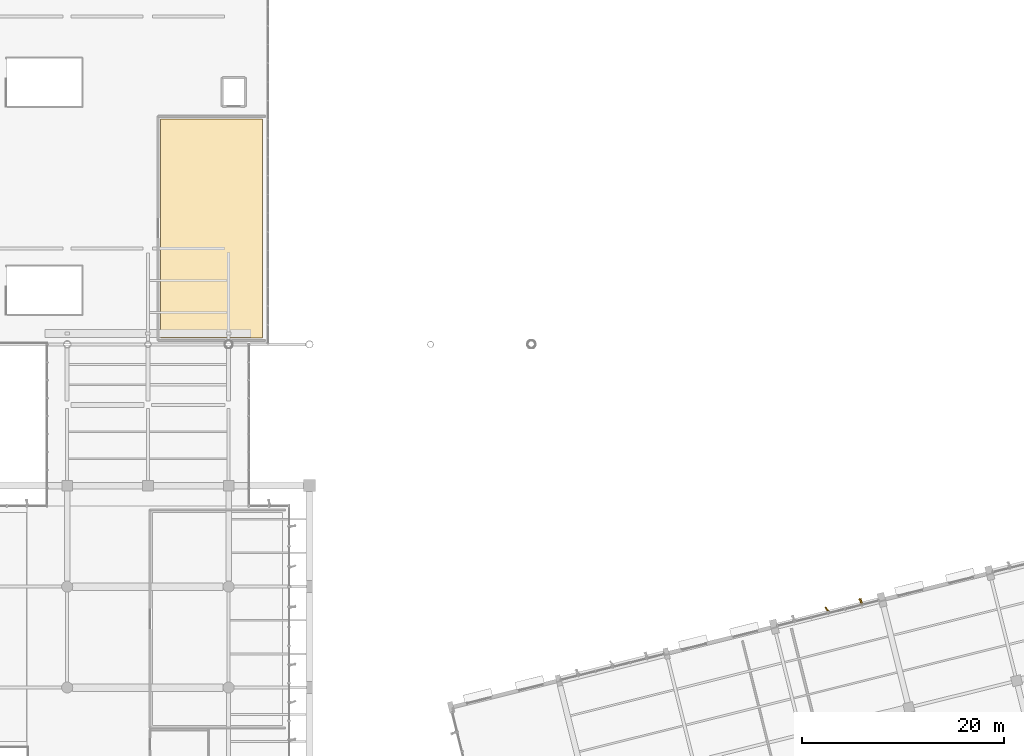
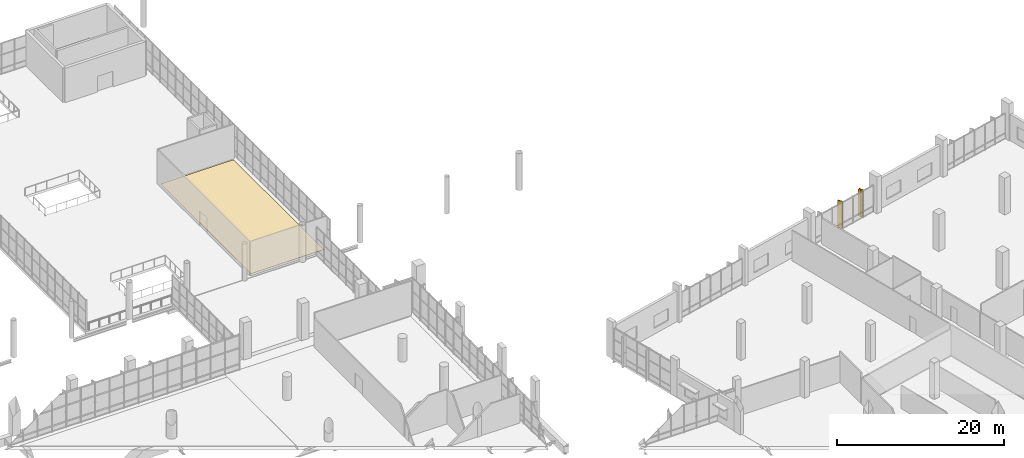
# One storey, part 173 of 176: 2 coverings, 2 shading devices.
"""IFC4 building model written with IfcOpenShell, lengths in metres."""

from ifc_helpers import new_model, si_unit, direction, frame, origin, origin_2d, place, context, subcontext, project, spatial, polyline, rectangle, outline, extrude, material, layer, layer_set, type_object, element, save


model = new_model("IFC4")

# Units and contexts
model_context = context("Model", 3, precision=1e-05, world=origin(), true_north=direction((0.0, 1.0)))
body_context = subcontext(model_context, "Body", "Model", "MODEL_VIEW")
ifc_project = project(units=[si_unit("LENGTHUNIT", "METRE"), si_unit("AREAUNIT", "SQUARE_METRE"), si_unit("VOLUMEUNIT", "CUBIC_METRE"), si_unit("PLANEANGLEUNIT", "RADIAN"), si_unit("MASSUNIT", "GRAM", prefix="KILO")], contexts=[model_context])

# Site, building, storey
site_placement = place(None, origin())
site = spatial("IfcSite", under=ifc_project, at=site_placement, CompositionType="ELEMENT")
building_placement = place(site_placement, origin())
building = spatial("IfcBuilding", under=site, at=building_placement, Name="Khorjan Park Terminus", CompositionType="ELEMENT")
storey_placement = place(building_placement, frame((0.0, 0.0, 6.0)))
storey = spatial("IfcBuildingStorey", under=building, at=storey_placement, Name="L01", CompositionType="ELEMENT", Elevation=6.0)

# Coverings
ifc_material_1 = material(Name="Pigmented Precast GRC", Category="concrete")
ifc_layer_1 = layer(ifc_material_1, 0.16)
ifc_layer_set_1 = layer_set([ifc_layer_1], Name="Pigmented Precast GRC")
covering_type_1 = type_object("IfcCoveringType", Name="CV-FIN-GRC", PredefinedType="CLADDING", material=ifc_layer_set_1)
covering_1_placement = place(storey_placement, frame((190.6478, 76.5318, -0.02), z_axis=(0.0, 0.0, 1.0), x_axis=(0.2419218956, -0.970295726276, 0.0)))
element("IfcCovering", 1, at=covering_1_placement, inside=storey, type_object=covering_type_1, Name="Projecting desert-sandstone GRC facade fin CL-FN1 (CW-V5-N-L01-B03-1)", PredefinedType="CLADDING", context=body_context, shape_type="SweptSolid", body=[
    extrude(rectangle(XDim=0.58, YDim=0.16, at=origin_2d()), origin(), (0.0, 0.0, 1.0), 3.975),
])
ifc_material_2 = material(Name="Polished Desert Limestone Terrazzo", Category="masonry")
ifc_layer_2 = layer(ifc_material_2, 0.035)
ifc_layer_set_2 = layer_set([ifc_layer_2], Name="Polished Desert Limestone Terrazzo")
covering_type_2 = type_object("IfcCoveringType", Name="CV-FLR-TRZ", PredefinedType="FLOORING", material=ifc_layer_set_2)
covering_2_placement = place(storey_placement, origin())
element("IfcCovering", 2, at=covering_2_placement, inside=storey, type_object=covering_type_2, Name="Architectural floor finish FF-TRZ (L01-GTL)", PredefinedType="FLOORING", context=body_context, shape_type="SweptSolid", body=[
    extrude(outline(polyline([(131.35, 124.35), (131.35, 102.65), (121.25, 102.65), (121.25, 124.35), (131.35, 124.35)])), origin(), (0.0, 0.0, 1.0), 0.035),
])

# Shading devices
ifc_material_3 = material(Name="Anodized Bronze Aluminium", Category="aluminium")
shading_device_type = type_object("IfcShadingDeviceType", Name="SD-FIN-620", PredefinedType="JALOUSIE", material=ifc_material_3)
for number, where, z_axis, x_axis, name in (
    (3, (190.6478, 76.5318, -0.02), (0.0, 0.0, 1.0), (0.587785252292, -0.809016994375, 0.0), "Angled solar brise-soleil fin SF-62 (CW-V5-N-L01-B03-1)"),
    (4, (187.3036, 75.698, -0.02), (0.0, 0.0, 1.0), (0.587785252292, -0.809016994375, 0.0), "Angled solar brise-soleil fin SF-62 (CW-V5-N-L01-B03-3)"),
):
    element("IfcShadingDevice", number, at=place(storey_placement, frame(where, z_axis=z_axis, x_axis=x_axis)), inside=storey, type_object=shading_device_type, Name=name, PredefinedType="JALOUSIE", context=body_context, shape_type="SweptSolid", body=[
        extrude(rectangle(XDim=0.62, YDim=0.14, at=origin_2d()), origin(), (0.0, 0.0, 1.0), 3.975),
    ])

save(model, "model.ifc")
